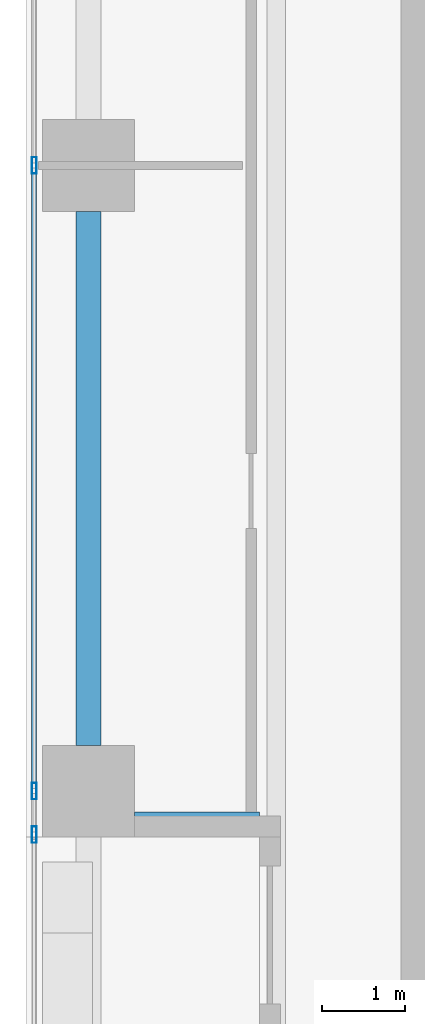
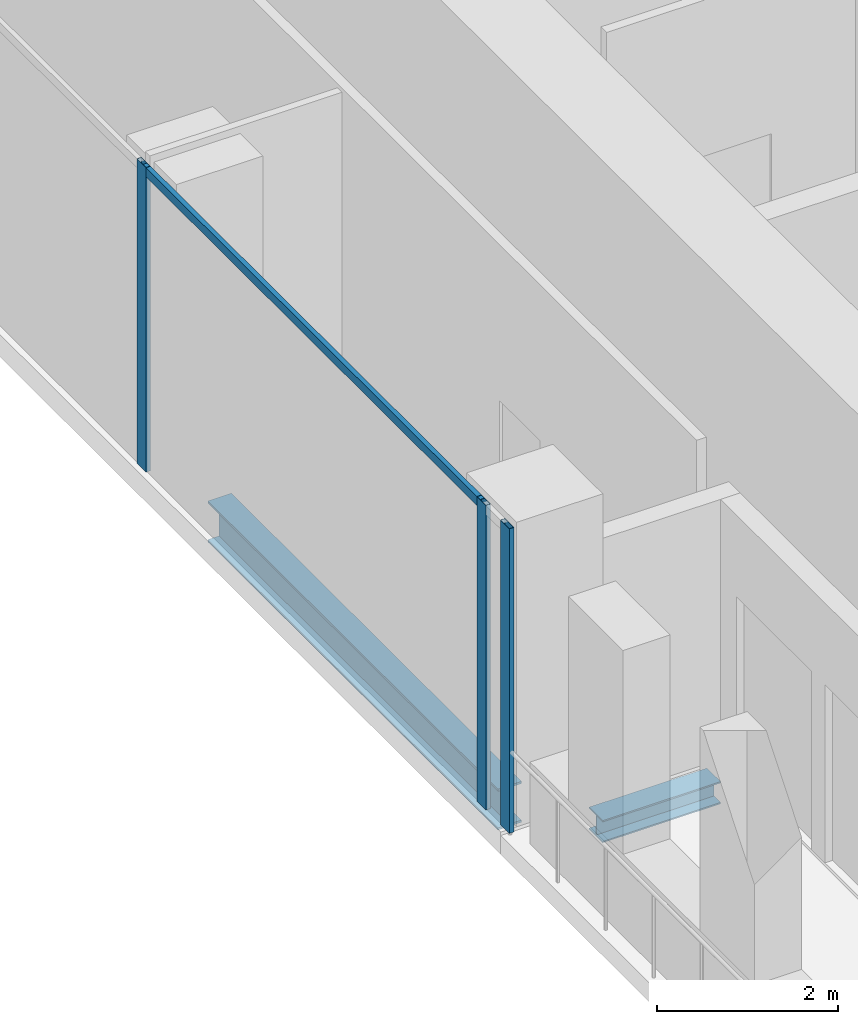
# One storey, part 7 of 34: 4 members, 2 beams, 1 element without a shape of its own.
"""IFC4 building model written with IfcOpenShell, lengths in metres."""

from ifc_helpers import new_model, si_unit, direction, frame, origin, origin_2d, place, context, subcontext, project, spatial, hollow_rectangle, i_section, extrude, source, transform, mapped, material, material_profile, profile_set, type_object, element, aggregate, save


model = new_model("IFC4")

# Units and contexts
model_context = context("Model", 3, precision=1e-05, world=origin(), true_north=direction((0.0, 1.0)))
body_context = subcontext(model_context, "Body", "Model", "MODEL_VIEW")
ifc_project = project(units=[si_unit("LENGTHUNIT", "METRE"), si_unit("AREAUNIT", "SQUARE_METRE"), si_unit("VOLUMEUNIT", "CUBIC_METRE"), si_unit("PLANEANGLEUNIT", "RADIAN"), si_unit("MASSUNIT", "GRAM", prefix="KILO")], contexts=[model_context])

# Site, building, storey
site_placement = place(None, origin())
site = spatial("IfcSite", under=ifc_project, at=site_placement, CompositionType="ELEMENT")
building_placement = place(site_placement, origin())
building = spatial("IfcBuilding", under=site, at=building_placement, Name="Khomas Fold Tower", CompositionType="ELEMENT")
storey_placement = place(building_placement, frame((0.0, 0.0, 123.5)))
storey = spatial("IfcBuildingStorey", under=building, at=storey_placement, Name="L26", CompositionType="ELEMENT", Elevation=123.5)

# Beams
ifc_material_1 = material(Name="Steel S355", Category="steel")
ifc_material_profile_1 = material_profile(ifc_material_1, i_section(OverallWidth=0.300048828125, OverallDepth=0.550048828125, WebThickness=0.014892578125, FlangeThickness=0.029052734375, at=origin_2d()), Name="HE 550 B")
ifc_profile_set_1 = profile_set([ifc_material_profile_1], Name="Steel S355")
beam_type_1 = type_object("IfcBeamType", Name="HE 550 B spandrel SB2", PredefinedType="SPANDREL", material=ifc_profile_set_1)
shared_shape_1 = source(origin(), body_context, "Body", "SweptSolid", [
    extrude(i_section(OverallWidth=0.300048828125, OverallDepth=0.550048828125, WebThickness=0.014892578125, FlangeThickness=0.029052734375, at=origin_2d()), origin(), (0.0, 0.0, 1.0), 6.39990234375),
])
beam_1_placement = place(storey_placement, frame((2.25, 20.050048828125, -0.574951171875), z_axis=(0.0, 1.0, 0.0), x_axis=(-1.0, 0.0, 0.0)))
element("IfcBeam", 1, at=beam_1_placement, inside=storey, type_object=beam_type_1, Name="SB2", PredefinedType="SPANDREL", context=body_context, shape_type="MappedRepresentation", body=[
    mapped(shared_shape_1, transform((0.0, 0.0, 0.0))),
])
ifc_material_2 = material(Name="Steel S355", Category="steel")
ifc_material_profile_2 = material_profile(ifc_material_2, i_section(OverallWidth=0.300048828125, OverallDepth=0.300048828125, WebThickness=0.010986328125, FlangeThickness=0.01904296875, at=origin_2d()), Name="HE 300 B")
ifc_profile_set_2 = profile_set([ifc_material_profile_2], Name="Steel S355")
beam_type_2 = type_object("IfcBeamType", Name="HE 300 B beam BB1", PredefinedType="BEAM", material=ifc_profile_set_2)
shared_shape_2 = source(origin(), body_context, "Body", "SweptSolid", [
    extrude(i_section(OverallWidth=0.300048828125, OverallDepth=0.300048828125, WebThickness=0.010986328125, FlangeThickness=0.01904296875, at=origin_2d()), origin(), (0.0, 0.0, 1.0), 1.5),
])
beam_2_placement = place(storey_placement, frame((2.800048828125, 19.10009765625, -0.449951171875), z_axis=(1.0, 0.0, 0.0), x_axis=(0.0, 1.0, 0.0)))
element("IfcBeam", 2, at=beam_2_placement, inside=storey, type_object=beam_type_2, Name="BB1", PredefinedType="BEAM", context=body_context, shape_type="MappedRepresentation", body=[
    mapped(shared_shape_2, transform((0.0, 0.0, 0.0))),
])

# Curtain wall, members
ifc_material_3 = material(Name="Aluminium framed double glazing", Category="aluminium")
curtain_wall_type = type_object("IfcCurtainWallType", Name="SK-Unitised clear-glass wall, growing floors CW1", PredefinedType="NOTDEFINED", material=ifc_material_3)
curtain_wall_placement = place(storey_placement, origin())
curtain_wall = element("IfcCurtainWall", 3, at=curtain_wall_placement, inside=storey, type_object=curtain_wall_type, Name="CW1 run L26 09-0", PredefinedType="NOTDEFINED")
ifc_material_4 = material(Name="Aluminium", Category="aluminium")
ifc_material_profile_3 = material_profile(ifc_material_4, hollow_rectangle(XDim=0.06005859375, YDim=0.1201171875, WallThickness=0.00390625, at=origin_2d()), Name="SK-Unitised clear-glass wall, growing floors transom CW1-T")
ifc_profile_set_3 = profile_set([ifc_material_profile_3], Name="Aluminium")
member_type_1 = type_object("IfcMemberType", Name="SK-Unitised clear-glass wall, growing floors transom CW1-T", PredefinedType="USERDEFINED", material=ifc_profile_set_3)
shared_shape_3 = source(origin(), body_context, "Body", "SweptSolid", [
    extrude(hollow_rectangle(XDim=0.06005859375, YDim=0.1201171875, WallThickness=0.00390625, at=origin_2d()), origin(), (0.0, 0.0, 1.0), 7.43994140625),
])
member_1_placement = place(storey_placement, frame((1.60009765625, 26.969970703125, 4.0400390625), z_axis=(0.0, -1.0, 0.0), x_axis=(1.0, 0.0, 0.0)))
member_1 = element("IfcMember", 4, at=member_1_placement, type_object=member_type_1, Name="CW1 transom 5", ObjectType="TRANSOM", PredefinedType="USERDEFINED", context=body_context, shape_type="MappedRepresentation", body=[
    mapped(shared_shape_3, transform((0.0, 0.0, 0.0))),
])
ifc_material_5 = material(Name="Aluminium", Category="aluminium")
ifc_material_profile_4 = material_profile(ifc_material_5, hollow_rectangle(XDim=0.06005859375, YDim=0.199951171875, WallThickness=0.00390625, at=origin_2d()), Name="SK-Unitised clear-glass wall, growing floors mullion CW1-M")
ifc_profile_set_4 = profile_set([ifc_material_profile_4], Name="Aluminium")
member_type_2 = type_object("IfcMemberType", Name="SK-Unitised clear-glass wall, growing floors mullion CW1-M", PredefinedType="MULLION", material=ifc_profile_set_4)
shared_shape_4 = source(origin(), body_context, "Body", "SweptSolid", [
    extrude(hollow_rectangle(XDim=0.06005859375, YDim=0.199951171875, WallThickness=0.00390625, at=origin_2d()), origin(), (0.0, 0.0, 1.0), 4.10009765625),
])
member_2_placement = place(storey_placement, frame((1.60009765625, 27.0, 0.0), z_axis=(0.0, 0.0, 1.0), x_axis=(1.0, 0.0, 0.0)))
member_2 = element("IfcMember", 5, at=member_2_placement, type_object=member_type_2, Name="CW1 mullion 5", PredefinedType="MULLION", context=body_context, shape_type="MappedRepresentation", body=[
    mapped(shared_shape_4, transform((0.0, 0.0, 0.0))),
])
member_3_placement = place(storey_placement, frame((1.60009765625, 19.5, 0.0), z_axis=(0.0, 0.0, 1.0), x_axis=(1.0, 0.0, 0.0)))
member_3 = element("IfcMember", 6, at=member_3_placement, type_object=member_type_2, Name="CW1 mullion 6", PredefinedType="MULLION", context=body_context, shape_type="MappedRepresentation", body=[
    mapped(shared_shape_4, transform((0.0, 0.0, 0.0))),
])
member_4_placement = place(storey_placement, frame((1.60009765625, 18.97998046875, 0.0), z_axis=(0.0, 0.0, 1.0), x_axis=(1.0, 0.0, 0.0)))
member_4 = element("IfcMember", 7, at=member_4_placement, type_object=member_type_2, Name="CW1 mullion 7", PredefinedType="MULLION", context=body_context, shape_type="MappedRepresentation", body=[
    mapped(shared_shape_4, transform((0.0, 0.0, 0.0))),
])
aggregate(curtain_wall, [member_2, member_3, member_4, member_1])

save(model, "model.ifc")
